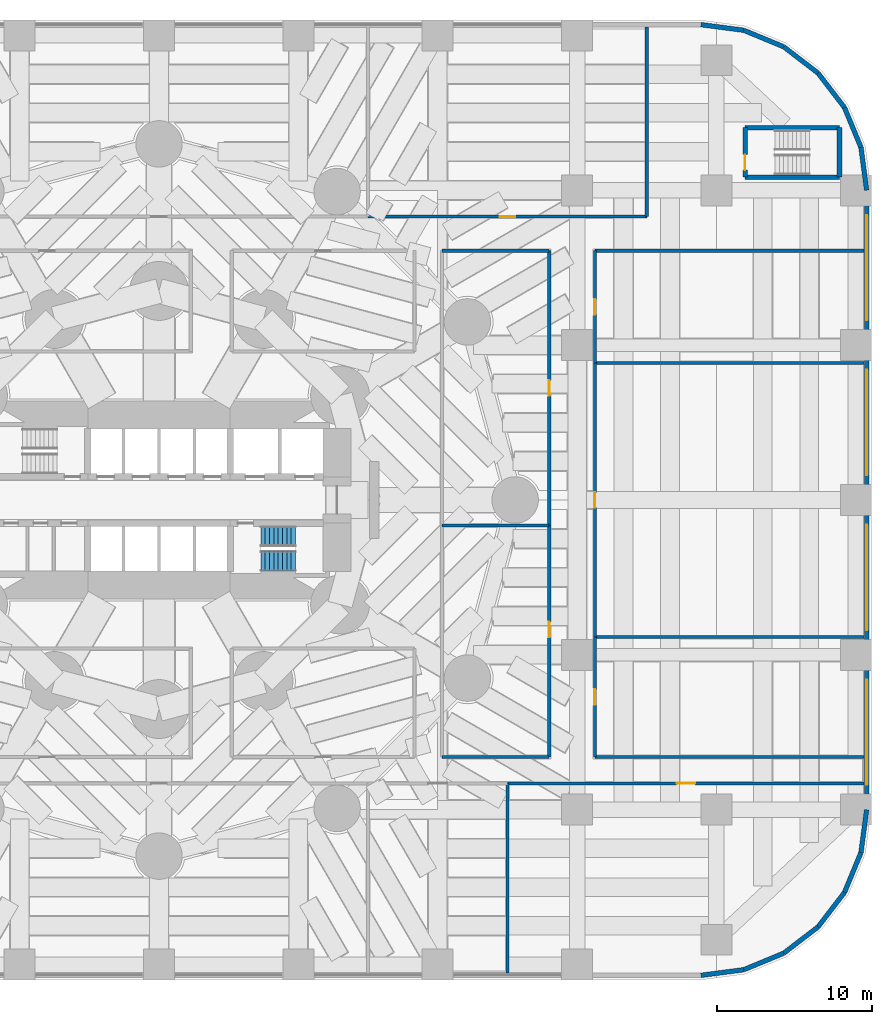
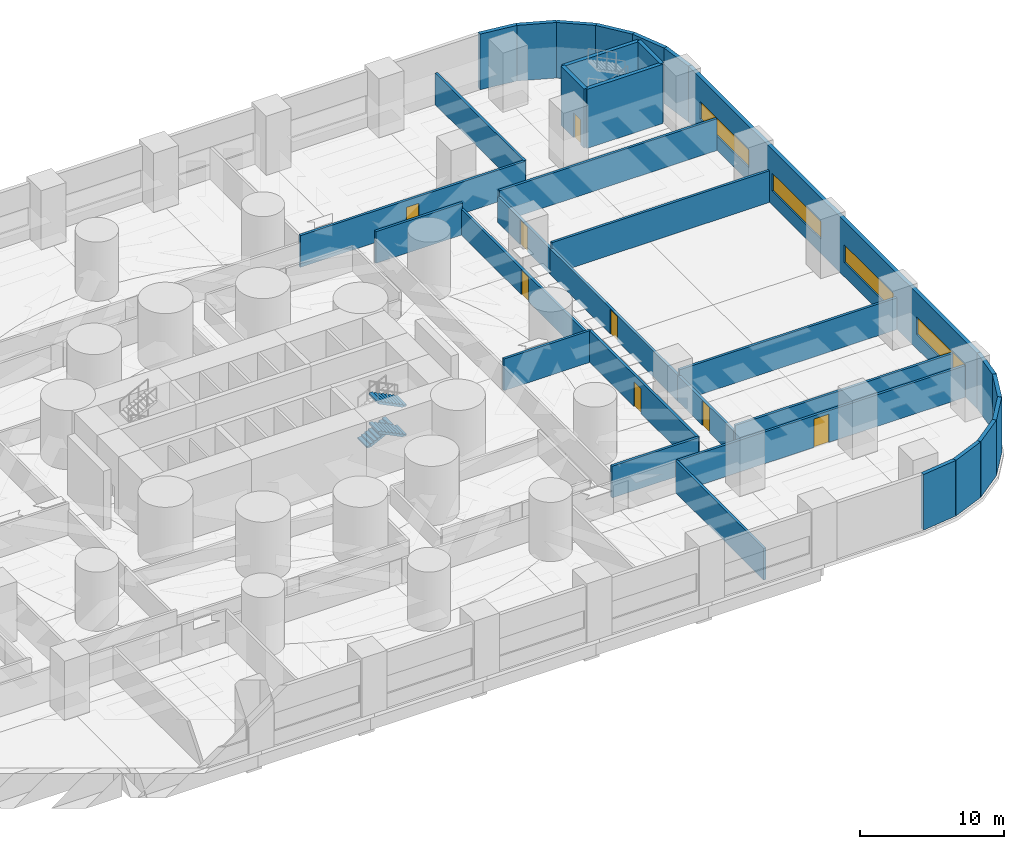
# One storey, part 10 of 17: 33 walls, 8 doors, 4 windows, 3 stair flights, 12 openings, 1 element without a shape of its own.
"""IFC4 building model written with IfcOpenShell, lengths in metres."""

import ifcopenshell
import ifcopenshell.guid

model = None  # the IFC model being written
_history = None  # IfcOwnerHistory: only IFC2X3 demands one
_inside = {}  # id of a spatial element -> (the spatial element, [elements in it])
_under = {}  # id of a project, library or spatial element -> (it, [spatial elements below it])
_declared = {}  # id of a project -> (the project, [libraries it declares])
_typed = {}  # id of a type object -> (the type object, [elements of that type])
_made_of = {}  # id of a material, layer set ... -> (it, [elements and type objects made of it])


def new_model(schema):
    """Start an empty IFC model of exactly this schema.

    Asked for "IFC4X3", IfcOpenShell would pick the latest addendum, in which some entities
    have other attributes; the version numbers below select the first issue.
    IFC2X3 requires an IfcOwnerHistory on every rooted entity: one is made here for all.
    """
    global model, _history
    if schema == "IFC4X3":
        model = ifcopenshell.file(schema_version=(4, 3, 0, 0))
    else:
        model = ifcopenshell.file(schema=schema)
    _inside.clear()
    _under.clear()
    _declared.clear()
    _typed.clear()
    _made_of.clear()
    _history = None
    if model.schema == "IFC2X3":
        org = make("IfcOrganization", Name="unknown")
        user = make(
            "IfcPersonAndOrganization",
            ThePerson=make("IfcPerson", FamilyName="unknown"),
            TheOrganization=org,
        )
        app = make(
            "IfcApplication",
            ApplicationDeveloper=org,
            Version="unknown",
            ApplicationFullName="unknown",
            ApplicationIdentifier="unknown",
        )
        _history = make(
            "IfcOwnerHistory",
            OwningUser=user,
            OwningApplication=app,
            ChangeAction="ADDED",
            CreationDate=0,
        )
    return model


def make(cls, **values):
    """One entity of the class cls with the attributes given. An attribute that is None is left unset."""
    return model.create_entity(
        cls, **{name: value for name, value in values.items() if value is not None}
    )


def rooted(cls, **values):
    """An entity with a GlobalId (a new one), such as an element, a storey or a relation."""
    return make(cls, GlobalId=ifcopenshell.guid.new(), OwnerHistory=_history, **values)


def si_unit(unit_type, name, prefix=None):
    """IfcSIUnit, for example si_unit("LENGTHUNIT", "METRE", prefix="MILLI")."""
    return make("IfcSIUnit", UnitType=unit_type, Prefix=prefix, Name=name)


def assignment(units):
    """IfcUnitAssignment: the units of a project."""
    return None if units is None else make("IfcUnitAssignment", Units=units)


def point(xyz):
    """IfcCartesianPoint."""
    return None if xyz is None else make("IfcCartesianPoint", Coordinates=xyz)


def direction(xyz):
    """IfcDirection."""
    return None if xyz is None else make("IfcDirection", DirectionRatios=xyz)


def frame(location, z_axis=None, x_axis=None):
    """IfcAxis2Placement3D, a coordinate frame: its origin and axes. An axis left out is left unset."""
    return make(
        "IfcAxis2Placement3D",
        Location=point(location),
        Axis=direction(z_axis),
        RefDirection=direction(x_axis),
    )


def frame_2d(location, x_axis=None):
    """IfcAxis2Placement2D, a coordinate frame in the plane: its origin and x axis."""
    return make(
        "IfcAxis2Placement2D", Location=point(location), RefDirection=direction(x_axis)
    )


def origin():
    """The frame at (0, 0, 0) with its axes left unset."""
    return frame((0.0, 0.0, 0.0))


def place(relative_to, where):
    """IfcLocalPlacement: puts the frame where relative to a parent placement (None: the world)."""
    return make(
        "IfcLocalPlacement", PlacementRelTo=relative_to, RelativePlacement=where
    )


def context(
    kind, dimensions, precision=None, world=None, true_north=None, identifier=None
):
    """IfcGeometricRepresentationContext, for example the 3D "Model" context."""
    return make(
        "IfcGeometricRepresentationContext",
        ContextIdentifier=identifier,
        ContextType=kind,
        CoordinateSpaceDimension=dimensions,
        Precision=precision,
        WorldCoordinateSystem=world,
        TrueNorth=true_north,
    )


def subcontext(parent, identifier, kind, view, scale=None):
    """IfcGeometricRepresentationSubContext, for example "Body" below "Model"."""
    return make(
        "IfcGeometricRepresentationSubContext",
        ContextIdentifier=identifier,
        ContextType=kind,
        ParentContext=parent,
        TargetScale=scale,
        TargetView=view,
    )


def project(units=None, contexts=None):
    """IfcProject with its units and contexts."""
    return rooted(
        "IfcProject",
        Name="project",
        RepresentationContexts=contexts,
        UnitsInContext=assignment(units),
    )


def spatial(cls, under=None, at=None, **own):
    """A site, building, storey or space (cls), placed at a placement, below another one or the project."""
    s = rooted(cls, ObjectPlacement=at, **own)
    if under is not None:
        _under.setdefault(under.id(), (under, []))[1].append(s)
    return s


def polyline(points):
    """IfcPolyline through the points."""
    return make("IfcPolyline", Points=[point(p) for p in points])


def profile(cls, at=None, kind="AREA", **sizes):
    """A parametric profile (cls). Its sizes go by their IFC names, for example OverallWidth=200.0."""
    return make(cls, ProfileType=kind, Position=at, **sizes)


def rectangle(**sizes):
    """IfcRectangleProfileDef."""
    return profile("IfcRectangleProfileDef", **sizes)


def outline(outer, holes=None, kind="AREA"):
    """IfcArbitraryClosedProfileDef: a profile drawn as a closed curve; with holes, ...WithVoids."""
    if holes is None:
        return make("IfcArbitraryClosedProfileDef", ProfileType=kind, OuterCurve=outer)
    return make(
        "IfcArbitraryProfileDefWithVoids",
        ProfileType=kind,
        OuterCurve=outer,
        InnerCurves=holes,
    )


def extrude(swept, where, along, depth):
    """IfcExtrudedAreaSolid: the profile swept, set in the frame where, extruded along a direction by depth."""
    return make(
        "IfcExtrudedAreaSolid",
        SweptArea=swept,
        Position=where,
        ExtrudedDirection=direction(along),
        Depth=depth,
    )


def shape(context_of_items, identifier, shape_type, items):
    """IfcShapeRepresentation: the items that make up one representation, for example the "Body"."""
    return make(
        "IfcShapeRepresentation",
        ContextOfItems=context_of_items,
        RepresentationIdentifier=identifier,
        RepresentationType=shape_type,
        Items=items,
    )


def material(Name=None, Category=None):
    """IfcMaterial."""
    return make("IfcMaterial", Name=Name, Category=Category)


def layer(
    of_material, thickness, ventilated=None, Name=None, Category=None, Priority=None
):
    """IfcMaterialLayer: one layer of a wall or slab, of a material (None: an air gap)."""
    return make(
        "IfcMaterialLayer",
        Material=of_material,
        LayerThickness=thickness,
        IsVentilated=ventilated,
        Name=Name,
        Category=Category,
        Priority=Priority,
    )


def layer_set(layers, Name=None):
    """IfcMaterialLayerSet."""
    return make("IfcMaterialLayerSet", MaterialLayers=layers, LayerSetName=Name)


def made_of(thing, what):
    """Note that an element or type object is made of a material, layer set ...; save() writes the relation."""
    if what is not None:
        _made_of.setdefault(what.id(), (what, []))[1].append(thing)
    return thing


def type_object(cls, material=None, **own):
    """A type object (cls), such as IfcWallType, which elements share."""
    return made_of(rooted(cls, **own), material)


def element(
    cls,
    number,
    at=None,
    inside=None,
    cuts=None,
    type_object=None,
    material=None,
    context=None,
    identifier="Body",
    shape_type=None,
    held_by="IfcProductDefinitionShape",
    body=None,
    shapes=None,
    **own,
):
    """One element of the class cls, such as IfcWall. Its Tag is "e" and its number.

    at: its placement. inside: the storey or other place that contains it. cuts: it is an
    opening in that element (IfcRelVoidsElement). A single representation is given by context,
    identifier, shape_type and body (its items); several are given by shapes. held_by: the class
    of the entity that holds the representations. save() writes the other relations.
    """
    e = rooted(cls, Tag="e%d" % number, ObjectPlacement=at, **own)
    if body is not None:
        shapes = [shape(context, identifier, shape_type, body)]
    if shapes is not None:
        e.Representation = make(held_by, Representations=shapes)
    if inside is not None:
        _inside.setdefault(inside.id(), (inside, []))[1].append(e)
    if cuts is not None:
        rooted(
            "IfcRelVoidsElement", RelatingBuildingElement=cuts, RelatedOpeningElement=e
        )
    if type_object is not None:
        _typed.setdefault(type_object.id(), (type_object, []))[1].append(e)
    return made_of(e, material)


def fill(opening, filler):
    """IfcRelFillsElement: the door or window that sits in an opening."""
    return rooted(
        "IfcRelFillsElement",
        RelatingOpeningElement=opening,
        RelatedBuildingElement=filler,
    )


def aggregate(whole, parts):
    """IfcRelAggregates: a whole, such as a stair, and the parts it consists of."""
    return rooted("IfcRelAggregates", RelatingObject=whole, RelatedObjects=parts)


def save(model, path):
    """Write the relations noted so far, then the file.

    IfcRelAggregates (storeys below a building ...), IfcRelContainedInSpatialStructure (elements
    in a storey), IfcRelDefinesByType, IfcRelAssociatesMaterial and IfcRelDeclares: one each for
    every whole, place, type object, material and project.
    """
    for whole, parts in _under.values():
        aggregate(whole, parts)
    for where, things in _inside.values():
        rooted(
            "IfcRelContainedInSpatialStructure",
            RelatedElements=things,
            RelatingStructure=where,
        )
    for kind, things in _typed.values():
        rooted("IfcRelDefinesByType", RelatedObjects=things, RelatingType=kind)
    for what, things in _made_of.values():
        rooted("IfcRelAssociatesMaterial", RelatedObjects=things, RelatingMaterial=what)
    for by, libraries in _declared.values():
        rooted("IfcRelDeclares", RelatingContext=by, RelatedDefinitions=libraries)
    model.write(path)


model = new_model("IFC4")

# Units and contexts
model_context = context("Model", 3, precision=1e-05, world=origin(), true_north=direction((0.0, 1.0)))
body_context = subcontext(model_context, "Body", "Model", "MODEL_VIEW")
ifc_project = project(units=[si_unit("LENGTHUNIT", "METRE"), si_unit("AREAUNIT", "SQUARE_METRE"), si_unit("VOLUMEUNIT", "CUBIC_METRE"), si_unit("PLANEANGLEUNIT", "RADIAN"), si_unit("MASSUNIT", "GRAM", prefix="KILO")], contexts=[model_context])

# Site, building, storey
site_placement = place(None, origin())
site = spatial("IfcSite", under=ifc_project, at=site_placement, CompositionType="ELEMENT")
building_placement = place(site_placement, origin())
building = spatial("IfcBuilding", under=site, at=building_placement, Name="Qaws Media Tower", CompositionType="ELEMENT")
storey_placement = place(building_placement, frame((0.0, 0.0, 15.0)))
storey = spatial("IfcBuildingStorey", under=building, at=storey_placement, Name="L02", CompositionType="ELEMENT", Elevation=15.0)

# Walls
ifc_material_1 = material(Name="Precast concrete, exposed finish", Category="concrete")
ifc_layer_1 = layer(ifc_material_1, 0.300048828125)
ifc_layer_set_1 = layer_set([ifc_layer_1], Name="Podium facade wall 300")
wall_type_1 = type_object("IfcWallType", Name="Podium facade wall 300", PredefinedType="SOLIDWALL", material=ifc_layer_set_1)
wall_1_placement = place(storey_placement, frame((95.0, 19.300048828125, 0.0), z_axis=(0.0, 0.0, 1.0), x_axis=(0.991448642066, 0.130497471798, 0.0)))
element("IfcWall", 1, at=wall_1_placement, inside=storey, type_object=wall_type_1, Name="W779 EW2 podium wall L02-01", PredefinedType="SOLIDWALL", context=body_context, shape_type="SweptSolid", body=[
    extrude(rectangle(XDim=2.793212890625, YDim=0.300048828125, at=frame_2d((1.396484375, 0.0))), origin(), (0.0, 0.0, 1.0), 4.699951171875),
])
wall_2_placement = place(storey_placement, frame((97.769287109375, 19.66455078125, 0.0), z_axis=(0.0, 0.0, 1.0), x_axis=(0.923868765822, 0.382709424419, 0.0)))
element("IfcWall", 2, at=wall_2_placement, inside=storey, type_object=wall_type_1, Name="W781 EW2 podium wall L02-02", PredefinedType="SOLIDWALL", context=body_context, shape_type="SweptSolid", body=[
    extrude(rectangle(XDim=2.79345703125, YDim=0.300048828125, at=frame_2d((1.396728515625, 0.0))), origin(), (0.0, 0.0, 1.0), 4.699951171875),
])
for number, where, z_axis, x_axis, name in (
    (3, (100.35009765625, 20.733642578125, 0.0), (0.0, 0.0, 1.0), (0.793396695539, 0.608704923183, 0.0), "W783 EW2 podium wall L02-03"),
    (4, (102.566162109375, 22.433837890625, 0.0), (0.0, 0.0, 1.0), (0.608704923183, 0.793396695539, 0.0), "W785 EW2 podium wall L02-04"),
):
    element("IfcWall", number, at=place(storey_placement, frame(where, z_axis=z_axis, x_axis=x_axis)), inside=storey, type_object=wall_type_1, Name=name, PredefinedType="SOLIDWALL", context=body_context, shape_type="SweptSolid", body=[
        extrude(rectangle(XDim=2.793212890625, YDim=0.300048828125, at=frame_2d((1.396484375, 0.0))), origin(), (0.0, 0.0, 1.0), 4.699951171875),
    ])
wall_3_placement = place(storey_placement, frame((104.266357421875, 24.64990234375, 0.0), z_axis=(0.0, 0.0, 1.0), x_axis=(0.382709424419, 0.923868765822, 0.0)))
element("IfcWall", 5, at=wall_3_placement, inside=storey, type_object=wall_type_1, Name="W787 EW2 podium wall L02-05", PredefinedType="SOLIDWALL", context=body_context, shape_type="SweptSolid", body=[
    extrude(rectangle(XDim=2.79345703125, YDim=0.300048828125, at=frame_2d((1.396728515625, 0.0))), origin(), (0.0, 0.0, 1.0), 4.699951171875),
])
wall_4_placement = place(storey_placement, frame((105.33544921875, 27.230712890625, 0.0), z_axis=(0.0, 0.0, 1.0), x_axis=(0.130497471798, 0.991448642066, 0.0)))
element("IfcWall", 6, at=wall_4_placement, inside=storey, type_object=wall_type_1, Name="W789 EW2 podium wall L02-06", PredefinedType="SOLIDWALL", context=body_context, shape_type="SweptSolid", body=[
    extrude(rectangle(XDim=2.793212890625, YDim=0.300048828125, at=frame_2d((1.396484375, 0.0))), origin(), (0.0, 0.0, 1.0), 4.699951171875),
])

# Wall, openings, windows
wall_5_placement = place(storey_placement, frame((105.699951171875, 30.0, 0.0), z_axis=(0.0, 0.0, 1.0), x_axis=(0.0, 1.0, 0.0)))
wall_5 = element("IfcWall", 7, at=wall_5_placement, inside=storey, type_object=wall_type_1, Name="W791 EW2 podium wall L02-07", PredefinedType="SOLIDWALL", context=body_context, shape_type="SweptSolid", body=[
    extrude(rectangle(XDim=40.0, YDim=0.300048828125, at=frame_2d((20.0, 0.0))), origin(), (0.0, 0.0, 1.0), 4.699951171875),
])
opening_1_placement = place(wall_5_placement, frame((1.60009765625, 0.0, 1.199951171875)))
opening_1 = element("IfcOpeningElement", 8, at=opening_1_placement, cuts=wall_5, Name="Opening W2", PredefinedType="OPENING", context=body_context, shape_type="SweptSolid", body=[
    extrude(rectangle(XDim=6.800048828125, YDim=1.5, at=frame_2d((3.39990234375, 0.75))), frame((0.0, 0.159912109375, 0.0), z_axis=(0.0, -1.0, 0.0), x_axis=(1.0, 0.0, 0.0)), (0.0, 0.0, 1.0), 0.320068359375),
])
opening_2_placement = place(wall_5_placement, frame((11.60009765625, 0.0, 1.199951171875)))
opening_2 = element("IfcOpeningElement", 9, at=opening_2_placement, cuts=wall_5, Name="Opening W2", PredefinedType="OPENING", context=body_context, shape_type="SweptSolid", body=[
    extrude(rectangle(XDim=6.800048828125, YDim=1.5, at=frame_2d((3.39990234375, 0.75))), frame((0.0, 0.159912109375, 0.0), z_axis=(0.0, -1.0, 0.0), x_axis=(1.0, 0.0, 0.0)), (0.0, 0.0, 1.0), 0.320068359375),
])
opening_3_placement = place(wall_5_placement, frame((21.60009765625, 0.0, 1.199951171875)))
opening_3 = element("IfcOpeningElement", 10, at=opening_3_placement, cuts=wall_5, Name="Opening W2", PredefinedType="OPENING", context=body_context, shape_type="SweptSolid", body=[
    extrude(rectangle(XDim=6.800048828125, YDim=1.5, at=frame_2d((3.39990234375, 0.75))), frame((0.0, 0.159912109375, 0.0), z_axis=(0.0, -1.0, 0.0), x_axis=(1.0, 0.0, 0.0)), (0.0, 0.0, 1.0), 0.320068359375),
])
opening_4_placement = place(wall_5_placement, frame((31.60009765625, 0.0, 1.199951171875)))
opening_4 = element("IfcOpeningElement", 11, at=opening_4_placement, cuts=wall_5, Name="Opening W2", PredefinedType="OPENING", context=body_context, shape_type="SweptSolid", body=[
    extrude(rectangle(XDim=6.800048828125, YDim=1.5, at=frame_2d((3.39990234375, 0.75))), frame((0.0, 0.159912109375, 0.0), z_axis=(0.0, -1.0, 0.0), x_axis=(1.0, 0.0, 0.0)), (0.0, 0.0, 1.0), 0.320068359375),
])
ifc_material_2 = material(Name="Aluminium and clear glass", Category="aluminium")
window_type = type_object("IfcWindowType", Name="Ribbon window 6800x1500", PartitioningType="TRIPLE_PANEL_HORIZONTAL", PredefinedType="WINDOW", material=ifc_material_2)
window_1_placement = place(opening_1_placement, origin())
window_1 = element("IfcWindow", 12, at=window_1_placement, inside=storey, type_object=window_type, Name="W2 window L02 bay 2", OverallHeight=1.5, OverallWidth=6.800048828125, PartitioningType="SINGLE_PANEL", PredefinedType="WINDOW", context=body_context, shape_type="SweptSolid", body=[
    extrude(rectangle(XDim=6.800048828125, YDim=1.5, at=frame_2d((3.39990234375, 0.75))), frame((0.0, 0.030029296875, 0.0), z_axis=(0.0, -1.0, 0.0), x_axis=(1.0, 0.0, 0.0)), (0.0, 0.0, 1.0), 0.06005859375),
])
fill(opening_1, window_1)
window_2_placement = place(opening_2_placement, origin())
window_2 = element("IfcWindow", 13, at=window_2_placement, inside=storey, type_object=window_type, Name="W2 window L02 bay 3", OverallHeight=1.5, OverallWidth=6.800048828125, PartitioningType="SINGLE_PANEL", PredefinedType="WINDOW", context=body_context, shape_type="SweptSolid", body=[
    extrude(rectangle(XDim=6.800048828125, YDim=1.5, at=frame_2d((3.39990234375, 0.75))), frame((0.0, 0.030029296875, 0.0), z_axis=(0.0, -1.0, 0.0), x_axis=(1.0, 0.0, 0.0)), (0.0, 0.0, 1.0), 0.06005859375),
])
fill(opening_2, window_2)
window_3_placement = place(opening_3_placement, origin())
window_3 = element("IfcWindow", 14, at=window_3_placement, inside=storey, type_object=window_type, Name="W2 window L02 bay 4", OverallHeight=1.5, OverallWidth=6.800048828125, PartitioningType="SINGLE_PANEL", PredefinedType="WINDOW", context=body_context, shape_type="SweptSolid", body=[
    extrude(rectangle(XDim=6.800048828125, YDim=1.5, at=frame_2d((3.39990234375, 0.75))), frame((0.0, 0.030029296875, 0.0), z_axis=(0.0, -1.0, 0.0), x_axis=(1.0, 0.0, 0.0)), (0.0, 0.0, 1.0), 0.06005859375),
])
fill(opening_3, window_3)
window_4_placement = place(opening_4_placement, origin())
window_4 = element("IfcWindow", 15, at=window_4_placement, inside=storey, type_object=window_type, Name="W2 window L02 bay 5", OverallHeight=1.5, OverallWidth=6.800048828125, PartitioningType="SINGLE_PANEL", PredefinedType="WINDOW", context=body_context, shape_type="SweptSolid", body=[
    extrude(rectangle(XDim=6.800048828125, YDim=1.5, at=frame_2d((3.39990234375, 0.75))), frame((0.0, 0.030029296875, 0.0), z_axis=(0.0, -1.0, 0.0), x_axis=(1.0, 0.0, 0.0)), (0.0, 0.0, 1.0), 0.06005859375),
])
fill(opening_4, window_4)

# Walls
wall_6_placement = place(storey_placement, frame((105.699951171875, 70.0, 0.0), z_axis=(0.0, 0.0, 1.0), x_axis=(-0.130497471798, 0.991448642066, 0.0)))
element("IfcWall", 16, at=wall_6_placement, inside=storey, type_object=wall_type_1, Name="W792 EW2 podium wall L02-08", PredefinedType="SOLIDWALL", context=body_context, shape_type="SweptSolid", body=[
    extrude(rectangle(XDim=2.793212890625, YDim=0.300048828125, at=frame_2d((1.396484375, 0.0))), origin(), (0.0, 0.0, 1.0), 4.699951171875),
])
wall_7_placement = place(storey_placement, frame((105.33544921875, 72.769287109375, 0.0), z_axis=(0.0, 0.0, 1.0), x_axis=(-0.382709424419, 0.923868765822, 0.0)))
element("IfcWall", 17, at=wall_7_placement, inside=storey, type_object=wall_type_1, Name="W790 EW2 podium wall L02-09", PredefinedType="SOLIDWALL", context=body_context, shape_type="SweptSolid", body=[
    extrude(rectangle(XDim=2.79345703125, YDim=0.300048828125, at=frame_2d((1.396728515625, 0.0))), origin(), (0.0, 0.0, 1.0), 4.699951171875),
])
for number, where, z_axis, x_axis, name in (
    (18, (104.266357421875, 75.35009765625, 0.0), (0.0, 0.0, 1.0), (-0.608704923183, 0.793396695539, 0.0), "W788 EW2 podium wall L02-10"),
    (19, (102.566162109375, 77.566162109375, 0.0), (0.0, 0.0, 1.0), (-0.793396695539, 0.608704923183, 0.0), "W786 EW2 podium wall L02-11"),
):
    element("IfcWall", number, at=place(storey_placement, frame(where, z_axis=z_axis, x_axis=x_axis)), inside=storey, type_object=wall_type_1, Name=name, PredefinedType="SOLIDWALL", context=body_context, shape_type="SweptSolid", body=[
        extrude(rectangle(XDim=2.793212890625, YDim=0.300048828125, at=frame_2d((1.396484375, 0.0))), origin(), (0.0, 0.0, 1.0), 4.699951171875),
    ])
wall_8_placement = place(storey_placement, frame((100.35009765625, 79.266357421875, 0.0), z_axis=(0.0, 0.0, 1.0), x_axis=(-0.923868765822, 0.382709424419, 0.0)))
element("IfcWall", 20, at=wall_8_placement, inside=storey, type_object=wall_type_1, Name="W784 EW2 podium wall L02-12", PredefinedType="SOLIDWALL", context=body_context, shape_type="SweptSolid", body=[
    extrude(rectangle(XDim=2.79345703125, YDim=0.300048828125, at=frame_2d((1.396728515625, 0.0))), origin(), (0.0, 0.0, 1.0), 4.699951171875),
])
wall_9_placement = place(storey_placement, frame((97.769287109375, 80.33544921875, 0.0), z_axis=(0.0, 0.0, 1.0), x_axis=(-0.991448642066, 0.130497471798, 0.0)))
element("IfcWall", 21, at=wall_9_placement, inside=storey, type_object=wall_type_1, Name="W782 EW2 podium wall L02-13", PredefinedType="SOLIDWALL", context=body_context, shape_type="SweptSolid", body=[
    extrude(rectangle(XDim=2.793212890625, YDim=0.300048828125, at=frame_2d((1.396484375, 0.0))), origin(), (0.0, 0.0, 1.0), 4.699951171875),
])
ifc_material_3 = material(Name="Gypsum board on galvanised metal studs, acoustic double stud, deflection head", Category="gypsum")
ifc_layer_2 = layer(ifc_material_3, 0.199951171875)
ifc_layer_set_2 = layer_set([ifc_layer_2], Name="Room partition 200")
wall_type_2 = type_object("IfcWallType", Name="Room partition 200", PredefinedType="PARTITIONING", material=ifc_layer_set_2)
wall_10_placement = place(storey_placement, frame((82.5, 19.455078125, 0.0), z_axis=(0.0, 0.0, 1.0), x_axis=(0.0, 1.0, 0.0)))
element("IfcWall", 22, at=wall_10_placement, inside=storey, type_object=wall_type_2, Name="W912 IW3 partition L02", PredefinedType="PARTITIONING", context=body_context, shape_type="SweptSolid", body=[
    extrude(rectangle(XDim=12.244873046875, YDim=0.199951171875, at=frame_2d((6.12255859375, 0.0))), origin(), (0.0, 0.0, 1.0), 2.679931640625),
])

# Wall, opening, door
wall_11_placement = place(storey_placement, frame((85.199951171875, 33.39990234375, 0.0), z_axis=(0.0, 0.0, 1.0), x_axis=(0.0, 1.0, 0.0)))
wall_11 = element("IfcWall", 23, at=wall_11_placement, inside=storey, type_object=wall_type_2, Name="W913 IW3 partition L02", PredefinedType="PARTITIONING", context=body_context, shape_type="SweptSolid", body=[
    extrude(rectangle(XDim=14.9501953125, YDim=0.199951171875, at=frame_2d((7.47509765625, 0.0))), origin(), (0.0, 0.0, 1.0), 2.679931640625),
])
opening_5_placement = place(wall_11_placement, frame((7.72509765625, 0.0, 0.0)))
opening_5 = element("IfcOpeningElement", 24, at=opening_5_placement, cuts=wall_11, Name="Opening D5", PredefinedType="OPENING", context=body_context, shape_type="SweptSolid", body=[
    extrude(rectangle(XDim=1.0, YDim=2.10009765625, at=frame_2d((0.5, 1.050048828125))), frame((0.0, 0.10986328125, 0.0), z_axis=(0.0, -1.0, 0.0), x_axis=(1.0, 0.0, 0.0)), (0.0, 0.0, 1.0), 0.219970703125),
])
ifc_material_4 = material(Name="Timber veneered, acoustic seal", Category="wood")
door_type_1 = type_object("IfcDoorType", Name="Room door 1000", OperationType="SINGLE_SWING_LEFT", PredefinedType="DOOR", material=ifc_material_4)
door_1_placement = place(opening_5_placement, origin())
door_1 = element("IfcDoor", 25, at=door_1_placement, inside=storey, type_object=door_type_1, Name="D5 Graphics room door in wall W913", OperationType="SINGLE_SWING_LEFT", OverallHeight=2.10009765625, OverallWidth=1.0, PredefinedType="DOOR", context=body_context, shape_type="SweptSolid", body=[
    extrude(rectangle(XDim=1.0, YDim=2.10009765625, at=frame_2d((0.5, 1.050048828125))), frame((0.0, 0.02490234375, 0.0), z_axis=(0.0, -1.0, 0.0), x_axis=(1.0, 0.0, 0.0)), (0.0, 0.0, 1.0), 0.050048828125),
])
fill(opening_5, door_1)

wall_12_placement = place(storey_placement, frame((85.199951171875, 48.35009765625, 0.0), z_axis=(0.0, 0.0, 1.0), x_axis=(0.0, 1.0, 0.0)))
wall_12 = element("IfcWall", 26, at=wall_12_placement, inside=storey, type_object=wall_type_2, Name="W914 IW3 partition L02", PredefinedType="PARTITIONING", context=body_context, shape_type="SweptSolid", body=[
    extrude(rectangle(XDim=17.75, YDim=0.199951171875, at=frame_2d((8.875, 0.0))), origin(), (0.0, 0.0, 1.0), 2.179931640625),
])
opening_6_placement = place(wall_12_placement, frame((8.375, 0.0, 0.0)))
opening_6 = element("IfcOpeningElement", 27, at=opening_6_placement, cuts=wall_12, Name="Opening D5", PredefinedType="OPENING", context=body_context, shape_type="SweptSolid", body=[
    extrude(rectangle(XDim=1.0, YDim=2.10009765625, at=frame_2d((0.5, 1.050048828125))), frame((0.0, 0.10986328125, 0.0), z_axis=(0.0, -1.0, 0.0), x_axis=(1.0, 0.0, 0.0)), (0.0, 0.0, 1.0), 0.219970703125),
])
door_2_placement = place(opening_6_placement, origin())
door_2 = element("IfcDoor", 28, at=door_2_placement, inside=storey, type_object=door_type_1, Name="D5 Transmission planning office door in wall W914", OperationType="SINGLE_SWING_LEFT", OverallHeight=2.10009765625, OverallWidth=1.0, PredefinedType="DOOR", context=body_context, shape_type="SweptSolid", body=[
    extrude(rectangle(XDim=1.0, YDim=2.10009765625, at=frame_2d((0.5, 1.050048828125))), frame((0.0, 0.02490234375, 0.0), z_axis=(0.0, -1.0, 0.0), x_axis=(1.0, 0.0, 0.0)), (0.0, 0.0, 1.0), 0.050048828125),
])
fill(opening_6, door_2)

wall_13_placement = place(storey_placement, frame((88.14990234375, 33.39990234375, 0.0), z_axis=(0.0, 0.0, 1.0), x_axis=(0.0, 1.0, 0.0)))
wall_13 = element("IfcWall", 29, at=wall_13_placement, inside=storey, type_object=wall_type_2, Name="W929 IW3 partition L02", PredefinedType="PARTITIONING", context=body_context, shape_type="SweptSolid", body=[
    extrude(rectangle(XDim=7.75, YDim=0.199951171875, at=frame_2d((3.875, 0.0))), origin(), (0.0, 0.0, 1.0), 2.179931640625),
])
opening_7_placement = place(wall_13_placement, frame((3.375, 0.0, 0.0)))
opening_7 = element("IfcOpeningElement", 30, at=opening_7_placement, cuts=wall_13, Name="Opening D5", PredefinedType="OPENING", context=body_context, shape_type="SweptSolid", body=[
    extrude(rectangle(XDim=1.0, YDim=2.10009765625, at=frame_2d((0.5, 1.050048828125))), frame((0.0, 0.10986328125, 0.0), z_axis=(0.0, -1.0, 0.0), x_axis=(1.0, 0.0, 0.0)), (0.0, 0.0, 1.0), 0.219970703125),
])
door_3_placement = place(opening_7_placement, origin())
door_3 = element("IfcDoor", 31, at=door_3_placement, inside=storey, type_object=door_type_1, Name="D5 Subtitling room door in wall W929", OperationType="SINGLE_SWING_LEFT", OverallHeight=2.10009765625, OverallWidth=1.0, PredefinedType="DOOR", context=body_context, shape_type="SweptSolid", body=[
    extrude(rectangle(XDim=1.0, YDim=2.10009765625, at=frame_2d((0.5, 1.050048828125))), frame((0.0, 0.02490234375, 0.0), z_axis=(0.0, -1.0, 0.0), x_axis=(1.0, 0.0, 0.0)), (0.0, 0.0, 1.0), 0.050048828125),
])
fill(opening_7, door_3)

wall_14_placement = place(storey_placement, frame((88.14990234375, 41.14990234375, 0.0), z_axis=(0.0, 0.0, 1.0), x_axis=(0.0, 1.0, 0.0)))
wall_14 = element("IfcWall", 32, at=wall_14_placement, inside=storey, type_object=wall_type_2, Name="W931 IW3 partition L02", PredefinedType="PARTITIONING", context=body_context, shape_type="SweptSolid", body=[
    extrude(rectangle(XDim=17.7001953125, YDim=0.199951171875, at=frame_2d((8.85009765625, 0.0))), origin(), (0.0, 0.0, 1.0), 2.179931640625),
])
opening_8_placement = place(wall_14_placement, frame((8.35009765625, 0.0, 0.0)))
opening_8 = element("IfcOpeningElement", 33, at=opening_8_placement, cuts=wall_14, Name="Opening D5", PredefinedType="OPENING", context=body_context, shape_type="SweptSolid", body=[
    extrude(rectangle(XDim=1.0, YDim=2.10009765625, at=frame_2d((0.5, 1.050048828125))), frame((0.0, 0.10986328125, 0.0), z_axis=(0.0, -1.0, 0.0), x_axis=(1.0, 0.0, 0.0)), (0.0, 0.0, 1.0), 0.219970703125),
])
door_4_placement = place(opening_8_placement, origin())
door_4 = element("IfcDoor", 34, at=door_4_placement, inside=storey, type_object=door_type_1, Name="D5 Production control room B door in wall W931", OperationType="SINGLE_SWING_LEFT", OverallHeight=2.10009765625, OverallWidth=1.0, PredefinedType="DOOR", context=body_context, shape_type="SweptSolid", body=[
    extrude(rectangle(XDim=1.0, YDim=2.10009765625, at=frame_2d((0.5, 1.050048828125))), frame((0.0, 0.02490234375, 0.0), z_axis=(0.0, -1.0, 0.0), x_axis=(1.0, 0.0, 0.0)), (0.0, 0.0, 1.0), 0.050048828125),
])
fill(opening_8, door_4)

wall_15_placement = place(storey_placement, frame((88.14990234375, 58.85009765625, 0.0), z_axis=(0.0, 0.0, 1.0), x_axis=(0.0, 1.0, 0.0)))
wall_15 = element("IfcWall", 35, at=wall_15_placement, inside=storey, type_object=wall_type_2, Name="W933 IW3 partition L02", PredefinedType="PARTITIONING", context=body_context, shape_type="SweptSolid", body=[
    extrude(rectangle(XDim=7.25, YDim=0.199951171875, at=frame_2d((3.625, 0.0))), origin(), (0.0, 0.0, 1.0), 2.179931640625),
])
opening_9_placement = place(wall_15_placement, frame((3.125, 0.0, 0.0)))
opening_9 = element("IfcOpeningElement", 36, at=opening_9_placement, cuts=wall_15, Name="Opening D5", PredefinedType="OPENING", context=body_context, shape_type="SweptSolid", body=[
    extrude(rectangle(XDim=1.0, YDim=2.10009765625, at=frame_2d((0.5, 1.050048828125))), frame((0.0, 0.10986328125, 0.0), z_axis=(0.0, -1.0, 0.0), x_axis=(1.0, 0.0, 0.0)), (0.0, 0.0, 1.0), 0.219970703125),
])
door_5_placement = place(opening_9_placement, origin())
door_5 = element("IfcDoor", 37, at=door_5_placement, inside=storey, type_object=door_type_1, Name="D5 Promotions office door in wall W933", OperationType="SINGLE_SWING_LEFT", OverallHeight=2.10009765625, OverallWidth=1.0, PredefinedType="DOOR", context=body_context, shape_type="SweptSolid", body=[
    extrude(rectangle(XDim=1.0, YDim=2.10009765625, at=frame_2d((0.5, 1.050048828125))), frame((0.0, 0.02490234375, 0.0), z_axis=(0.0, -1.0, 0.0), x_axis=(1.0, 0.0, 0.0)), (0.0, 0.0, 1.0), 0.050048828125),
])
fill(opening_9, door_5)

# Wall
wall_16_placement = place(storey_placement, frame((91.5, 68.300048828125, 0.0), z_axis=(0.0, 0.0, 1.0), x_axis=(0.0, 1.0, 0.0)))
element("IfcWall", 38, at=wall_16_placement, inside=storey, type_object=wall_type_2, Name="W886 IW3 partition L02", PredefinedType="PARTITIONING", context=body_context, shape_type="SweptSolid", body=[
    extrude(rectangle(XDim=12.244873046875, YDim=0.199951171875, at=frame_2d((6.12255859375, 0.0))), origin(), (0.0, 0.0, 1.0), 2.679931640625),
])

# Wall, opening, door
wall_17_placement = place(storey_placement, frame((82.5, 31.699951171875, 0.0), z_axis=(0.0, 0.0, 1.0), x_axis=(1.0, 0.0, 0.0)))
wall_17 = element("IfcWall", 39, at=wall_17_placement, inside=storey, type_object=wall_type_2, Name="W880 IW3 partition L02", PredefinedType="PARTITIONING", context=body_context, shape_type="SweptSolid", body=[
    extrude(rectangle(XDim=23.044921875, YDim=0.199951171875, at=frame_2d((11.5224609375, 0.0))), origin(), (0.0, 0.0, 1.0), 2.679931640625),
])
opening_10_placement = place(wall_17_placement, frame((10.922607421875, 0.0, 0.0)))
opening_10 = element("IfcOpeningElement", 40, at=opening_10_placement, cuts=wall_17, Name="Opening D14", PredefinedType="OPENING", context=body_context, shape_type="SweptSolid", body=[
    extrude(rectangle(XDim=1.199951171875, YDim=2.39990234375, at=frame_2d((0.60009765625, 1.199951171875))), frame((0.0, 0.10986328125, 0.0), z_axis=(0.0, -1.0, 0.0), x_axis=(1.0, 0.0, 0.0)), (0.0, 0.0, 1.0), 0.219970703125),
])
ifc_material_5 = material(Name="Steel acoustic door set, Rw 45", Category="steel")
door_type_2 = type_object("IfcDoorType", Name="Acoustic door 1200x2400 Rw 45", OperationType="SINGLE_SWING_LEFT", PredefinedType="DOOR", material=ifc_material_5)
door_6_placement = place(opening_10_placement, origin())
door_6 = element("IfcDoor", 41, at=door_6_placement, inside=storey, type_object=door_type_2, Name="D14 Edit suite 2 door in wall W880", OperationType="SINGLE_SWING_LEFT", OverallHeight=2.39990234375, OverallWidth=1.199951171875, PredefinedType="DOOR", context=body_context, shape_type="SweptSolid", body=[
    extrude(rectangle(XDim=1.199951171875, YDim=2.39990234375, at=frame_2d((0.60009765625, 1.199951171875))), frame((0.0, 0.02490234375, 0.0), z_axis=(0.0, -1.0, 0.0), x_axis=(1.0, 0.0, 0.0)), (0.0, 0.0, 1.0), 0.050048828125),
])
fill(opening_10, door_6)

# Walls
wall_18_placement = place(storey_placement, frame((78.27001953125, 33.39990234375, 0.0), z_axis=(0.0, 0.0, 1.0), x_axis=(1.0, 0.0, 0.0)))
element("IfcWall", 42, at=wall_18_placement, inside=storey, type_object=wall_type_2, Name="W908 IW3 partition L02", PredefinedType="PARTITIONING", context=body_context, shape_type="SweptSolid", body=[
    extrude(rectangle(XDim=6.929931640625, YDim=0.199951171875, at=frame_2d((3.46484375, 0.0))), origin(), (0.0, 0.0, 1.0), 2.679931640625),
])
for number, where, z_axis, x_axis, name in (
    (43, (88.14990234375, 33.39990234375, 0.0), (0.0, 0.0, 1.0), (1.0, 0.0, 0.0), "W930 IW3 partition L02"),
    (44, (88.14990234375, 41.14990234375, 0.0), (0.0, 0.0, 1.0), (1.0, 0.0, 0.0), "W932 IW3 partition L02"),
):
    element("IfcWall", number, at=place(storey_placement, frame(where, z_axis=z_axis, x_axis=x_axis)), inside=storey, type_object=wall_type_2, Name=name, PredefinedType="PARTITIONING", context=body_context, shape_type="SweptSolid", body=[
        extrude(rectangle(XDim=17.39501953125, YDim=0.199951171875, at=frame_2d((8.697509765625, 0.0))), origin(), (0.0, 0.0, 1.0), 2.679931640625),
    ])
wall_19_placement = place(storey_placement, frame((78.27001953125, 48.35009765625, 0.0), z_axis=(0.0, 0.0, 1.0), x_axis=(1.0, 0.0, 0.0)))
element("IfcWall", 45, at=wall_19_placement, inside=storey, type_object=wall_type_2, Name="W910 IW3 partition L02", PredefinedType="PARTITIONING", context=body_context, shape_type="SweptSolid", body=[
    extrude(rectangle(XDim=6.929931640625, YDim=0.199951171875, at=frame_2d((3.46484375, 0.0))), origin(), (0.0, 0.0, 1.0), 2.679931640625),
])
wall_20_placement = place(storey_placement, frame((88.14990234375, 58.85009765625, 0.0), z_axis=(0.0, 0.0, 1.0), x_axis=(1.0, 0.0, 0.0)))
element("IfcWall", 46, at=wall_20_placement, inside=storey, type_object=wall_type_2, Name="W934 IW3 partition L02", PredefinedType="PARTITIONING", context=body_context, shape_type="SweptSolid", body=[
    extrude(rectangle(XDim=17.39501953125, YDim=0.199951171875, at=frame_2d((8.697509765625, 0.0))), origin(), (0.0, 0.0, 1.0), 2.679931640625),
])
wall_21_placement = place(storey_placement, frame((78.27001953125, 66.10009765625, 0.0), z_axis=(0.0, 0.0, 1.0), x_axis=(1.0, 0.0, 0.0)))
element("IfcWall", 47, at=wall_21_placement, inside=storey, type_object=wall_type_2, Name="W911 IW3 partition L02", PredefinedType="PARTITIONING", context=body_context, shape_type="SweptSolid", body=[
    extrude(rectangle(XDim=6.929931640625, YDim=0.199951171875, at=frame_2d((3.46484375, 0.0))), origin(), (0.0, 0.0, 1.0), 2.679931640625),
])
wall_22_placement = place(storey_placement, frame((88.14990234375, 66.10009765625, 0.0), z_axis=(0.0, 0.0, 1.0), x_axis=(1.0, 0.0, 0.0)))
element("IfcWall", 48, at=wall_22_placement, inside=storey, type_object=wall_type_2, Name="W935 IW3 partition L02", PredefinedType="PARTITIONING", context=body_context, shape_type="SweptSolid", body=[
    extrude(rectangle(XDim=17.39501953125, YDim=0.199951171875, at=frame_2d((8.697509765625, 0.0))), origin(), (0.0, 0.0, 1.0), 2.679931640625),
])

# Wall, opening, door
wall_23_placement = place(storey_placement, frame((73.5, 68.300048828125, 0.0), z_axis=(0.0, 0.0, 1.0), x_axis=(1.0, 0.0, 0.0)))
wall_23 = element("IfcWall", 49, at=wall_23_placement, inside=storey, type_object=wall_type_2, Name="W874 IW3 partition L02", PredefinedType="PARTITIONING", context=body_context, shape_type="SweptSolid", body=[
    extrude(rectangle(XDim=18.0, YDim=0.199951171875, at=frame_2d((9.0, 0.0))), origin(), (0.0, 0.0, 1.0), 2.679931640625),
])
opening_11_placement = place(wall_23_placement, frame((8.5, 0.0, 0.0)))
opening_11 = element("IfcOpeningElement", 50, at=opening_11_placement, cuts=wall_23, Name="Opening D5", PredefinedType="OPENING", context=body_context, shape_type="SweptSolid", body=[
    extrude(rectangle(XDim=1.0, YDim=2.10009765625, at=frame_2d((0.5, 1.050048828125))), frame((0.0, 0.10986328125, 0.0), z_axis=(0.0, -1.0, 0.0), x_axis=(1.0, 0.0, 0.0)), (0.0, 0.0, 1.0), 0.219970703125),
])
door_7_placement = place(opening_11_placement, origin())
door_7 = element("IfcDoor", 51, at=door_7_placement, inside=storey, type_object=door_type_1, Name="D5 Apparatus room door in wall W874", OperationType="SINGLE_SWING_LEFT", OverallHeight=2.10009765625, OverallWidth=1.0, PredefinedType="DOOR", context=body_context, shape_type="SweptSolid", body=[
    extrude(rectangle(XDim=1.0, YDim=2.10009765625, at=frame_2d((0.5, 1.050048828125))), frame((0.0, 0.02490234375, 0.0), z_axis=(0.0, -1.0, 0.0), x_axis=(1.0, 0.0, 0.0)), (0.0, 0.0, 1.0), 0.050048828125),
])
fill(opening_11, door_7)

# Walls
ifc_material_6 = material(Name="Concrete C60/75", Category="concrete")
ifc_layer_3 = layer(ifc_material_6, 0.300048828125)
ifc_layer_set_3 = layer_set([ifc_layer_3], Name="Stair enclosure wall 300")
wall_type_3 = type_object("IfcWallType", Name="Stair enclosure wall 300", PredefinedType="SHEAR", material=ifc_layer_set_3)
for number, where, z_axis, x_axis, name in (
    (52, (97.85009765625, 70.85009765625, 0.0), (0.0, 0.0, 1.0), (1.0, 0.0, 0.0), "W1887 SW7 stair S4 enclosure S L02"),
    (53, (97.85009765625, 74.050048828125, 0.0), (0.0, 0.0, 1.0), (1.0, 0.0, 0.0), "W1888 SW7 stair S4 enclosure N L02"),
):
    element("IfcWall", number, at=place(storey_placement, frame(where, z_axis=z_axis, x_axis=x_axis)), inside=storey, type_object=wall_type_3, Name=name, PredefinedType="SHEAR", context=body_context, shape_type="SweptSolid", body=[
        extrude(rectangle(XDim=6.099853515625, YDim=0.300048828125, at=frame_2d((3.0498046875, 0.0))), origin(), (0.0, 0.0, 1.0), 5.0),
    ])

# Wall, opening, door
wall_24_placement = place(storey_placement, frame((97.85009765625, 70.85009765625, 0.0), z_axis=(0.0, 0.0, 1.0), x_axis=(0.0, 1.0, 0.0)))
wall_24 = element("IfcWall", 54, at=wall_24_placement, inside=storey, type_object=wall_type_3, Name="W1886 SW7 stair S4 enclosure W L02", PredefinedType="SHEAR", context=body_context, shape_type="SweptSolid", body=[
    extrude(rectangle(XDim=3.199951171875, YDim=0.300048828125, at=frame_2d((1.60009765625, 0.0))), origin(), (0.0, 0.0, 1.0), 5.0),
])
opening_12_placement = place(wall_24_placement, frame((0.449951171875, 0.0, 0.0)))
opening_12 = element("IfcOpeningElement", 55, at=opening_12_placement, cuts=wall_24, Name="Opening D1", PredefinedType="OPENING", context=body_context, shape_type="SweptSolid", body=[
    extrude(rectangle(XDim=1.0, YDim=2.10009765625, at=frame_2d((0.5, 1.050048828125))), frame((0.0, 0.159912109375, 0.0), z_axis=(0.0, -1.0, 0.0), x_axis=(1.0, 0.0, 0.0)), (0.0, 0.0, 1.0), 0.320068359375),
])
ifc_material_7 = material(Name="Steel, fire rated", Category="steel")
door_type_3 = type_object("IfcDoorType", Name="Stair door 1000 FD120", OperationType="SINGLE_SWING_LEFT", PredefinedType="DOOR", material=ifc_material_7)
door_8_placement = place(opening_12_placement, origin())
door_8 = element("IfcDoor", 56, at=door_8_placement, inside=storey, type_object=door_type_3, Name="D1 stair S4 door L02 in wall W1886", OperationType="SINGLE_SWING_LEFT", OverallHeight=2.10009765625, OverallWidth=1.0, PredefinedType="DOOR", context=body_context, shape_type="SweptSolid", body=[
    extrude(rectangle(XDim=1.0, YDim=2.10009765625, at=frame_2d((0.5, 1.050048828125))), frame((0.0, 0.02490234375, 0.0), z_axis=(0.0, -1.0, 0.0), x_axis=(1.0, 0.0, 0.0)), (0.0, 0.0, 1.0), 0.050048828125),
])
fill(opening_12, door_8)

# Wall
wall_25_placement = place(storey_placement, frame((103.949951171875, 70.85009765625, 0.0), z_axis=(0.0, 0.0, 1.0), x_axis=(0.0, 1.0, 0.0)))
element("IfcWall", 57, at=wall_25_placement, inside=storey, type_object=wall_type_3, Name="W1889 SW7 stair S4 enclosure E L02", PredefinedType="SHEAR", context=body_context, shape_type="SweptSolid", body=[
    extrude(rectangle(XDim=3.199951171875, YDim=0.300048828125, at=frame_2d((1.60009765625, 0.0))), origin(), (0.0, 0.0, 1.0), 5.0),
])

# Stair, stair flights
ifc_material_8 = material(Name="Concrete C40/50", Category="concrete")
stair_type = type_object("IfcStairType", Name="Exit stair", PredefinedType="HALF_TURN_STAIR", material=ifc_material_8)
stair_placement = place(storey_placement, origin())
stair = element("IfcStair", 58, at=stair_placement, inside=storey, type_object=stair_type, Name="S2 exit stair L02", PredefinedType="HALF_TURN_STAIR")
ifc_material_9 = material(Name="Concrete C40/50", Category="concrete")
stair_flight_type = type_object("IfcStairFlightType", Name="Stair flight 1310", PredefinedType="STRAIGHT", material=ifc_material_9)
stair_flight_1_placement = place(storey_placement, frame((66.580078125, 47.64501953125, 0.0), z_axis=(0.0, 0.0, 1.0), x_axis=(1.0, 0.0, 0.0)))
stair_flight_1 = element("IfcStairFlight", 59, at=stair_flight_1_placement, type_object=stair_flight_type, Name="S2 flight 1", NumberOfRisers=9, NumberOfTreads=8, PredefinedType="STRAIGHT", RiserHeight=0.138888889, TreadLength=0.28, context=body_context, shape_type="SweptSolid", body=[
    extrude(outline(polyline([(0.0, 0.0), (0.0, 0.138916015625), (0.280029296875, 0.138916015625), (0.280029296875, 0.27783203125), (0.56005859375, 0.27783203125), (0.56005859375, 0.416748046875), (0.840087890625, 0.416748046875), (0.840087890625, 0.5556640625), (1.1201171875, 0.5556640625), (1.1201171875, 0.6943359375), (1.39990234375, 0.6943359375), (1.39990234375, 0.833251953125), (1.679931640625, 0.833251953125), (1.679931640625, 0.97216796875), (1.9599609375, 0.97216796875), (1.9599609375, 1.111083984375), (2.239990234375, 1.111083984375), (2.239990234375, 1.25), (2.239990234375, 0.94384765625), (0.33740234375, 0.0), (0.0, 0.0)])), frame((0.0, 0.655029296875, 0.0), z_axis=(0.0, -1.0, 0.0), x_axis=(1.0, 0.0, 0.0)), (0.0, 0.0, 1.0), 1.31005859375),
])
stair_flight_2_placement = place(storey_placement, frame((68.820068359375, 46.054931640625, 1.25), z_axis=(0.0, 0.0, 1.0), x_axis=(-1.0, 0.0, 0.0)))
stair_flight_2 = element("IfcStairFlight", 60, at=stair_flight_2_placement, type_object=stair_flight_type, Name="S2 flight 2", NumberOfRisers=9, NumberOfTreads=8, PredefinedType="STRAIGHT", RiserHeight=0.138888889, TreadLength=0.28, context=body_context, shape_type="SweptSolid", body=[
    extrude(outline(polyline([(0.0, 0.0), (0.0, 0.138916015625), (0.280029296875, 0.138916015625), (0.280029296875, 0.27783203125), (0.56005859375, 0.27783203125), (0.56005859375, 0.416748046875), (0.840087890625, 0.416748046875), (0.840087890625, 0.5556640625), (1.1201171875, 0.5556640625), (1.1201171875, 0.6943359375), (1.39990234375, 0.6943359375), (1.39990234375, 0.833251953125), (1.679931640625, 0.833251953125), (1.679931640625, 0.97216796875), (1.9599609375, 0.97216796875), (1.9599609375, 1.111083984375), (2.239990234375, 1.111083984375), (2.239990234375, 1.25), (2.239990234375, 0.94384765625), (0.33740234375, 0.0), (0.0, 0.0)])), frame((0.0, 0.655029296875, 0.0), z_axis=(0.0, -1.0, 0.0), x_axis=(1.0, 0.0, 0.0)), (0.0, 0.0, 1.0), 1.31005859375),
])
stair_flight_3_placement = place(storey_placement, frame((68.820068359375, 46.054931640625, 3.75), z_axis=(0.0, 0.0, 1.0), x_axis=(-1.0, 0.0, 0.0)))
stair_flight_3 = element("IfcStairFlight", 61, at=stair_flight_3_placement, type_object=stair_flight_type, Name="S2 flight 4", NumberOfRisers=9, NumberOfTreads=8, PredefinedType="STRAIGHT", RiserHeight=0.138888889, TreadLength=0.28, context=body_context, shape_type="SweptSolid", body=[
    extrude(outline(polyline([(0.0, 0.0), (0.0, 0.138916015625), (0.280029296875, 0.138916015625), (0.280029296875, 0.27783203125), (0.56005859375, 0.27783203125), (0.56005859375, 0.416748046875), (0.840087890625, 0.416748046875), (0.840087890625, 0.5556640625), (1.1201171875, 0.5556640625), (1.1201171875, 0.6943359375), (1.39990234375, 0.6943359375), (1.39990234375, 0.833251953125), (1.679931640625, 0.833251953125), (1.679931640625, 0.97216796875), (1.9599609375, 0.97216796875), (1.9599609375, 1.111083984375), (2.239990234375, 1.111083984375), (2.239990234375, 1.25), (2.239990234375, 0.94384765625), (0.33740234375, 0.0), (0.0, 0.0)])), frame((0.0, 0.655029296875, 0.0), z_axis=(0.0, -1.0, 0.0), x_axis=(1.0, 0.0, 0.0)), (0.0, 0.0, 1.0), 1.31005859375),
])
aggregate(stair, [stair_flight_1, stair_flight_2, stair_flight_3])

save(model, "model.ifc")
